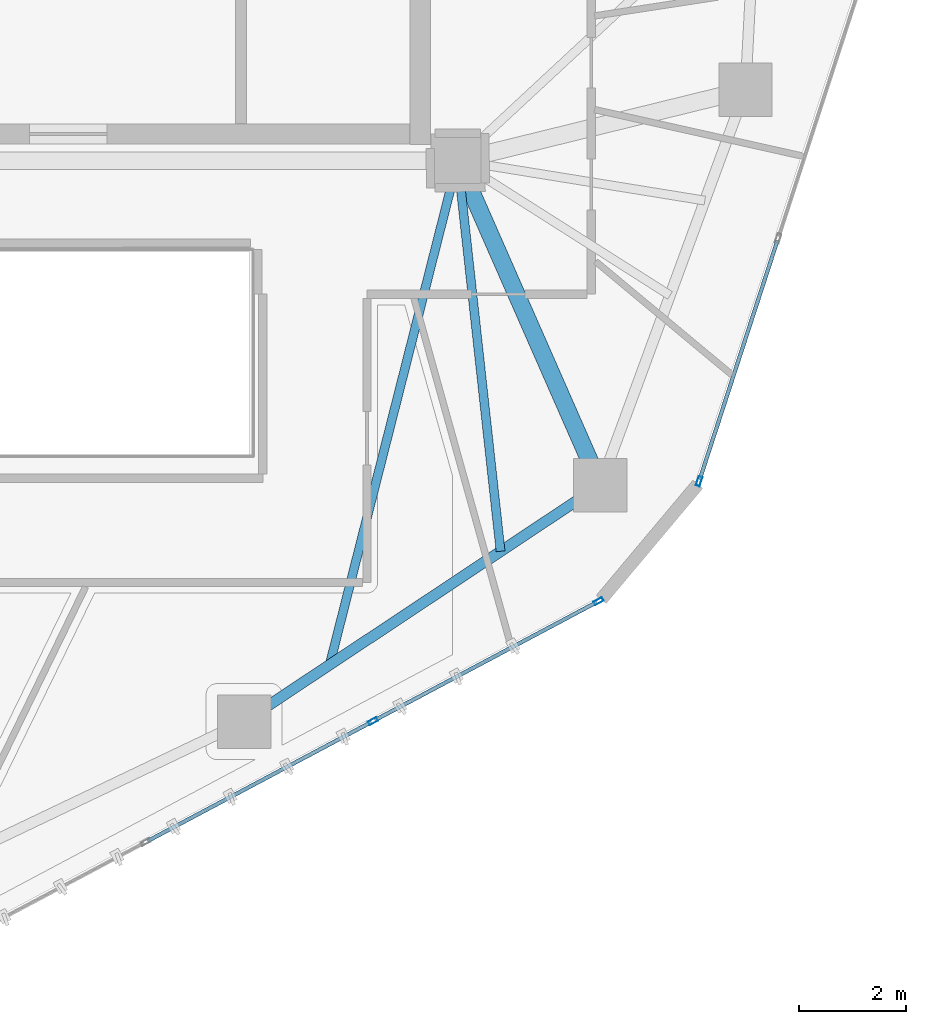
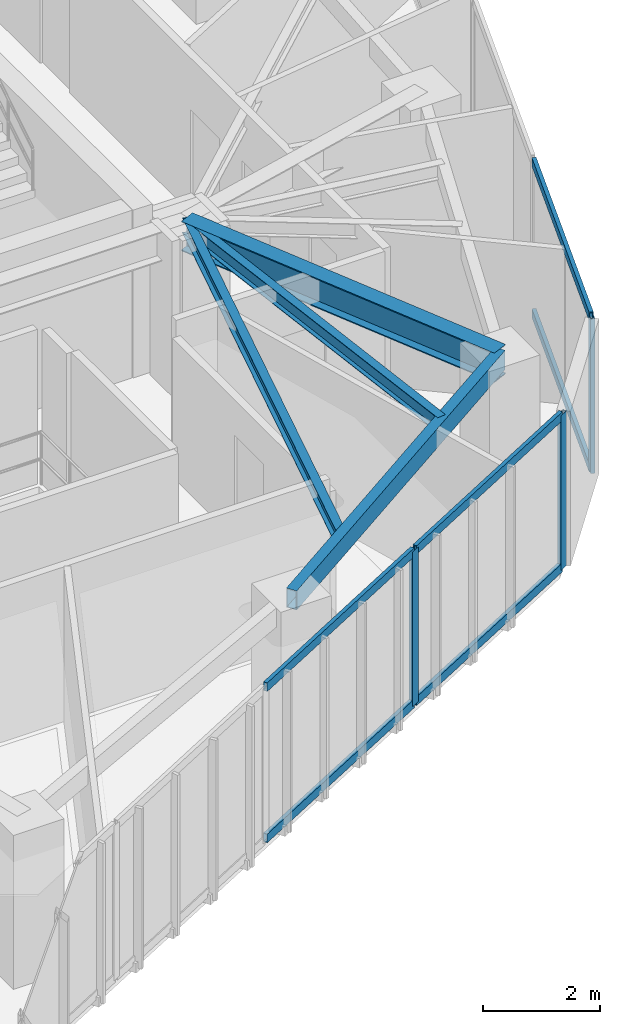
# One storey, part 5 of 19: 9 members, 4 beams, 2 elements without a shape of their own.
"""IFC4 building model written with IfcOpenShell, lengths in metres."""

import ifcopenshell
import ifcopenshell.guid

model = None  # the IFC model being written
_history = None  # IfcOwnerHistory: only IFC2X3 demands one
_inside = {}  # id of a spatial element -> (the spatial element, [elements in it])
_under = {}  # id of a project, library or spatial element -> (it, [spatial elements below it])
_declared = {}  # id of a project -> (the project, [libraries it declares])
_typed = {}  # id of a type object -> (the type object, [elements of that type])
_made_of = {}  # id of a material, layer set ... -> (it, [elements and type objects made of it])


def new_model(schema):
    """Start an empty IFC model of exactly this schema.

    Asked for "IFC4X3", IfcOpenShell would pick the latest addendum, in which some entities
    have other attributes; the version numbers below select the first issue.
    IFC2X3 requires an IfcOwnerHistory on every rooted entity: one is made here for all.
    """
    global model, _history
    if schema == "IFC4X3":
        model = ifcopenshell.file(schema_version=(4, 3, 0, 0))
    else:
        model = ifcopenshell.file(schema=schema)
    _inside.clear()
    _under.clear()
    _declared.clear()
    _typed.clear()
    _made_of.clear()
    _history = None
    if model.schema == "IFC2X3":
        org = make("IfcOrganization", Name="unknown")
        user = make(
            "IfcPersonAndOrganization",
            ThePerson=make("IfcPerson", FamilyName="unknown"),
            TheOrganization=org,
        )
        app = make(
            "IfcApplication",
            ApplicationDeveloper=org,
            Version="unknown",
            ApplicationFullName="unknown",
            ApplicationIdentifier="unknown",
        )
        _history = make(
            "IfcOwnerHistory",
            OwningUser=user,
            OwningApplication=app,
            ChangeAction="ADDED",
            CreationDate=0,
        )
    return model


def make(cls, **values):
    """One entity of the class cls with the attributes given. An attribute that is None is left unset."""
    return model.create_entity(
        cls, **{name: value for name, value in values.items() if value is not None}
    )


def rooted(cls, **values):
    """An entity with a GlobalId (a new one), such as an element, a storey or a relation."""
    return make(cls, GlobalId=ifcopenshell.guid.new(), OwnerHistory=_history, **values)


def si_unit(unit_type, name, prefix=None):
    """IfcSIUnit, for example si_unit("LENGTHUNIT", "METRE", prefix="MILLI")."""
    return make("IfcSIUnit", UnitType=unit_type, Prefix=prefix, Name=name)


def assignment(units):
    """IfcUnitAssignment: the units of a project."""
    return None if units is None else make("IfcUnitAssignment", Units=units)


def point(xyz):
    """IfcCartesianPoint."""
    return None if xyz is None else make("IfcCartesianPoint", Coordinates=xyz)


def direction(xyz):
    """IfcDirection."""
    return None if xyz is None else make("IfcDirection", DirectionRatios=xyz)


def frame(location, z_axis=None, x_axis=None):
    """IfcAxis2Placement3D, a coordinate frame: its origin and axes. An axis left out is left unset."""
    return make(
        "IfcAxis2Placement3D",
        Location=point(location),
        Axis=direction(z_axis),
        RefDirection=direction(x_axis),
    )


def frame_2d(location, x_axis=None):
    """IfcAxis2Placement2D, a coordinate frame in the plane: its origin and x axis."""
    return make(
        "IfcAxis2Placement2D", Location=point(location), RefDirection=direction(x_axis)
    )


def origin():
    """The frame at (0, 0, 0) with its axes left unset."""
    return frame((0.0, 0.0, 0.0))


def origin_2d():
    """The frame at (0, 0) in the plane with its x axis left unset."""
    return frame_2d((0.0, 0.0))


def place(relative_to, where):
    """IfcLocalPlacement: puts the frame where relative to a parent placement (None: the world)."""
    return make(
        "IfcLocalPlacement", PlacementRelTo=relative_to, RelativePlacement=where
    )


def context(
    kind, dimensions, precision=None, world=None, true_north=None, identifier=None
):
    """IfcGeometricRepresentationContext, for example the 3D "Model" context."""
    return make(
        "IfcGeometricRepresentationContext",
        ContextIdentifier=identifier,
        ContextType=kind,
        CoordinateSpaceDimension=dimensions,
        Precision=precision,
        WorldCoordinateSystem=world,
        TrueNorth=true_north,
    )


def subcontext(parent, identifier, kind, view, scale=None):
    """IfcGeometricRepresentationSubContext, for example "Body" below "Model"."""
    return make(
        "IfcGeometricRepresentationSubContext",
        ContextIdentifier=identifier,
        ContextType=kind,
        ParentContext=parent,
        TargetScale=scale,
        TargetView=view,
    )


def project(units=None, contexts=None):
    """IfcProject with its units and contexts."""
    return rooted(
        "IfcProject",
        Name="project",
        RepresentationContexts=contexts,
        UnitsInContext=assignment(units),
    )


def spatial(cls, under=None, at=None, **own):
    """A site, building, storey or space (cls), placed at a placement, below another one or the project."""
    s = rooted(cls, ObjectPlacement=at, **own)
    if under is not None:
        _under.setdefault(under.id(), (under, []))[1].append(s)
    return s


def profile(cls, at=None, kind="AREA", **sizes):
    """A parametric profile (cls). Its sizes go by their IFC names, for example OverallWidth=200.0."""
    return make(cls, ProfileType=kind, Position=at, **sizes)


def hollow_rectangle(**sizes):
    """IfcRectangleHollowProfileDef."""
    return profile("IfcRectangleHollowProfileDef", **sizes)


def i_section(**sizes):
    """IfcIShapeProfileDef."""
    return profile("IfcIShapeProfileDef", **sizes)


def extrude(swept, where, along, depth):
    """IfcExtrudedAreaSolid: the profile swept, set in the frame where, extruded along a direction by depth."""
    return make(
        "IfcExtrudedAreaSolid",
        SweptArea=swept,
        Position=where,
        ExtrudedDirection=direction(along),
        Depth=depth,
    )


def shape(context_of_items, identifier, shape_type, items):
    """IfcShapeRepresentation: the items that make up one representation, for example the "Body"."""
    return make(
        "IfcShapeRepresentation",
        ContextOfItems=context_of_items,
        RepresentationIdentifier=identifier,
        RepresentationType=shape_type,
        Items=items,
    )


def source(mapping_origin, context_of_items, identifier, shape_type, items):
    """IfcRepresentationMap: a shape defined once, which mapped items show again and again."""
    return make(
        "IfcRepresentationMap",
        MappingOrigin=mapping_origin,
        MappedRepresentation=shape(context_of_items, identifier, shape_type, items),
    )


def transform(
    local_origin,
    x_axis=None,
    y_axis=None,
    z_axis=None,
    scale=None,
    scale2=None,
    scale3=None,
    uniform=True,
):
    """IfcCartesianTransformationOperator3D, or its non-uniform kind. x_axis, y_axis, z_axis: its Axis1, 2, 3."""
    if uniform:
        return make(
            "IfcCartesianTransformationOperator3D",
            Axis1=direction(x_axis),
            Axis2=direction(y_axis),
            LocalOrigin=point(local_origin),
            Scale=scale,
            Axis3=direction(z_axis),
        )
    return make(
        "IfcCartesianTransformationOperator3DnonUniform",
        Axis1=direction(x_axis),
        Axis2=direction(y_axis),
        LocalOrigin=point(local_origin),
        Scale=scale,
        Axis3=direction(z_axis),
        Scale2=scale2,
        Scale3=scale3,
    )


def mapped(mapping_source, mapping_target):
    """IfcMappedItem: shows the shape of a source again, moved by a transform."""
    return make(
        "IfcMappedItem", MappingSource=mapping_source, MappingTarget=mapping_target
    )


def material(Name=None, Category=None):
    """IfcMaterial."""
    return make("IfcMaterial", Name=Name, Category=Category)


def layer(
    of_material, thickness, ventilated=None, Name=None, Category=None, Priority=None
):
    """IfcMaterialLayer: one layer of a wall or slab, of a material (None: an air gap)."""
    return make(
        "IfcMaterialLayer",
        Material=of_material,
        LayerThickness=thickness,
        IsVentilated=ventilated,
        Name=Name,
        Category=Category,
        Priority=Priority,
    )


def layer_set(layers, Name=None):
    """IfcMaterialLayerSet."""
    return make("IfcMaterialLayerSet", MaterialLayers=layers, LayerSetName=Name)


def material_profile(
    of_material, cross_section, Name=None, Category=None, Priority=None
):
    """IfcMaterialProfile: a cross section and its material."""
    return make(
        "IfcMaterialProfile",
        Name=Name,
        Material=of_material,
        Profile=cross_section,
        Priority=Priority,
        Category=Category,
    )


def profile_set(profiles, Name=None, composite=None):
    """IfcMaterialProfileSet."""
    return make(
        "IfcMaterialProfileSet",
        Name=Name,
        MaterialProfiles=profiles,
        CompositeProfile=composite,
    )


def made_of(thing, what):
    """Note that an element or type object is made of a material, layer set ...; save() writes the relation."""
    if what is not None:
        _made_of.setdefault(what.id(), (what, []))[1].append(thing)
    return thing


def type_object(cls, material=None, **own):
    """A type object (cls), such as IfcWallType, which elements share."""
    return made_of(rooted(cls, **own), material)


def type_shapes(of_type, sources):
    """Give a type object the sources (RepresentationMaps) that its elements show as mapped items."""
    of_type.RepresentationMaps = sources


def element(
    cls,
    number,
    at=None,
    inside=None,
    cuts=None,
    type_object=None,
    material=None,
    context=None,
    identifier="Body",
    shape_type=None,
    held_by="IfcProductDefinitionShape",
    body=None,
    shapes=None,
    **own,
):
    """One element of the class cls, such as IfcWall. Its Tag is "e" and its number.

    at: its placement. inside: the storey or other place that contains it. cuts: it is an
    opening in that element (IfcRelVoidsElement). A single representation is given by context,
    identifier, shape_type and body (its items); several are given by shapes. held_by: the class
    of the entity that holds the representations. save() writes the other relations.
    """
    e = rooted(cls, Tag="e%d" % number, ObjectPlacement=at, **own)
    if body is not None:
        shapes = [shape(context, identifier, shape_type, body)]
    if shapes is not None:
        e.Representation = make(held_by, Representations=shapes)
    if inside is not None:
        _inside.setdefault(inside.id(), (inside, []))[1].append(e)
    if cuts is not None:
        rooted(
            "IfcRelVoidsElement", RelatingBuildingElement=cuts, RelatedOpeningElement=e
        )
    if type_object is not None:
        _typed.setdefault(type_object.id(), (type_object, []))[1].append(e)
    return made_of(e, material)


def aggregate(whole, parts):
    """IfcRelAggregates: a whole, such as a stair, and the parts it consists of."""
    return rooted("IfcRelAggregates", RelatingObject=whole, RelatedObjects=parts)


def save(model, path):
    """Write the relations noted so far, then the file.

    IfcRelAggregates (storeys below a building ...), IfcRelContainedInSpatialStructure (elements
    in a storey), IfcRelDefinesByType, IfcRelAssociatesMaterial and IfcRelDeclares: one each for
    every whole, place, type object, material and project.
    """
    for whole, parts in _under.values():
        aggregate(whole, parts)
    for where, things in _inside.values():
        rooted(
            "IfcRelContainedInSpatialStructure",
            RelatedElements=things,
            RelatingStructure=where,
        )
    for kind, things in _typed.values():
        rooted("IfcRelDefinesByType", RelatedObjects=things, RelatingType=kind)
    for what, things in _made_of.values():
        rooted("IfcRelAssociatesMaterial", RelatedObjects=things, RelatingMaterial=what)
    for by, libraries in _declared.values():
        rooted("IfcRelDeclares", RelatingContext=by, RelatedDefinitions=libraries)
    model.write(path)


model = new_model("IFC4")

# Units and contexts
model_context = context("Model", 3, precision=1e-05, world=origin(), true_north=direction((0.0, 1.0)))
body_context = subcontext(model_context, "Body", "Model", "MODEL_VIEW")
ifc_project = project(units=[si_unit("LENGTHUNIT", "METRE"), si_unit("AREAUNIT", "SQUARE_METRE"), si_unit("VOLUMEUNIT", "CUBIC_METRE"), si_unit("PLANEANGLEUNIT", "RADIAN"), si_unit("MASSUNIT", "GRAM", prefix="KILO")], contexts=[model_context])

# Site, building, storey
site_placement = place(None, origin())
site = spatial("IfcSite", under=ifc_project, at=site_placement, CompositionType="ELEMENT")
building_placement = place(site_placement, origin())
building = spatial("IfcBuilding", under=site, at=building_placement, Name="Talar Marvaseh", CompositionType="ELEMENT")
storey_placement = place(building_placement, frame((0.0, 0.0, 174.0)))
storey = spatial("IfcBuildingStorey", under=building, at=storey_placement, Name="L45", CompositionType="ELEMENT", Elevation=174.0)

# Beams
ifc_material_1 = material(Name="Steel S355", Category="steel")
ifc_material_profile_1 = material_profile(ifc_material_1, hollow_rectangle(XDim=0.199951171875, YDim=0.39990234375, WallThickness=0.013916015625, at=origin_2d()), Name="RHS400x200x14")
ifc_profile_set_1 = profile_set([ifc_material_profile_1], Name="Steel S355")
beam_type_1 = type_object("IfcBeamType", Name="Zone 3 Perimeter Spandrel Beam RHS400x200x14", PredefinedType="SPANDREL", material=ifc_profile_set_1)
beam_1_placement = place(storey_placement, frame((35.970947265625, 19.423095703125, 3.030029296875), z_axis=(-0.833127464163, -0.553081032452, 0.0), x_axis=(0.553081032452, -0.833127464163, 0.0)))
element("IfcBeam", 1, at=beam_1_placement, inside=storey, type_object=beam_type_1, Name="L45 Zone 3 Perimeter Spandrel Beam RHS400x200x14", PredefinedType="SPANDREL", context=body_context, shape_type="SweptSolid", body=[
    extrude(hollow_rectangle(XDim=0.199951171875, YDim=0.39990234375, WallThickness=0.013916015625, at=origin_2d()), origin(), (0.0, 0.0, 1.0), 8.00830078125),
])
ifc_material_profile_2 = material_profile(ifc_material_1, i_section(OverallWidth=0.324951171875, OverallDepth=0.615966796875, WebThickness=0.013916015625, FlangeThickness=0.021484375, at=origin_2d()), Name="W610x174")
ifc_profile_set_2 = profile_set([ifc_material_profile_2], Name="Steel S355")
beam_type_2 = type_object("IfcBeamType", Name="Zone 3 Radial Floor Girder W610x174", PredefinedType="BEAM", material=ifc_profile_set_2)
beam_2_placement = place(storey_placement, frame((35.970947265625, 19.423095703125, 2.922119140625), z_axis=(-0.402367581672, 0.91547819702, 0.0), x_axis=(-0.91547819702, -0.402367581672, 0.0)))
element("IfcBeam", 2, at=beam_2_placement, inside=storey, type_object=beam_type_2, Name="L45 Zone 3 Radial Floor Girder W610x174", PredefinedType="BEAM", context=body_context, shape_type="SweptSolid", body=[
    extrude(i_section(OverallWidth=0.324951171875, OverallDepth=0.615966796875, WebThickness=0.013916015625, FlangeThickness=0.021484375, at=origin_2d()), origin(), (0.0, 0.0, 1.0), 6.637939453125),
])
ifc_material_profile_3 = material_profile(ifc_material_1, i_section(OverallWidth=0.166015625, OverallDepth=0.31298828125, WebThickness=0.006591796875, FlangeThickness=0.01123046875, at=origin_2d()), Name="W310x45")
ifc_profile_set_3 = profile_set([ifc_material_profile_3], Name="Steel S355")
beam_type_3 = type_object("IfcBeamType", Name="Zone 3 Secondary Floor Joist W310x45", PredefinedType="JOIST", material=ifc_profile_set_3)
beam_3_placement = place(storey_placement, frame((34.102783203125, 18.182861328125, 3.073486328125), z_axis=(-0.109051770147, 0.994036071492, 0.0), x_axis=(-0.994036071492, -0.109051770147, 0.0)))
element("IfcBeam", 3, at=beam_3_placement, inside=storey, type_object=beam_type_3, Name="L45 Zone 3 Secondary Floor Joist W310x45", PredefinedType="JOIST", context=body_context, shape_type="SweptSolid", body=[
    extrude(i_section(OverallWidth=0.166015625, OverallDepth=0.31298828125, WebThickness=0.006591796875, FlangeThickness=0.01123046875, at=origin_2d()), origin(), (0.0, 0.0, 1.0), 7.361083984375),
])
beam_4_placement = place(storey_placement, frame((30.900390625, 16.056884765625, 3.073486328125), z_axis=(0.246289474123, 0.96919631393, 0.0), x_axis=(-0.96919631393, 0.246289474123, 0.0)))
element("IfcBeam", 4, at=beam_4_placement, inside=storey, type_object=beam_type_3, Name="L45 Zone 3 Secondary Floor Joist W310x45", PredefinedType="JOIST", context=body_context, shape_type="SweptSolid", body=[
    extrude(i_section(OverallWidth=0.166015625, OverallDepth=0.31298828125, WebThickness=0.006591796875, FlangeThickness=0.01123046875, at=origin_2d()), origin(), (0.0, 0.0, 1.0), 9.7431640625),
])

# Curtain wall, member
ifc_material_2 = material(Name="Architectural Aluminium", Category="aluminium")
ifc_layer = layer(ifc_material_2, 0.18994140625)
ifc_layer_set = layer_set([ifc_layer], Name="Architectural Aluminium")
curtain_wall_type = type_object("IfcCurtainWallType", Name="Unitised Solar Atelier Curtain Wall Z3", PredefinedType="NOTDEFINED", material=ifc_layer_set)
curtain_wall_1_placement = place(storey_placement, origin())
curtain_wall_1 = element("IfcCurtainWall", 5, at=curtain_wall_1_placement, inside=storey, type_object=curtain_wall_type, Name="L45 Unitised Solar Atelier Curtain Wall Z3", PredefinedType="NOTDEFINED")
ifc_material_profile_4 = material_profile(ifc_material_2, hollow_rectangle(XDim=0.074951171875, YDim=0.179931640625, WallThickness=0.0048828125, at=origin_2d()), Name="RHS180x75x5")
ifc_profile_set_4 = profile_set([ifc_material_profile_4], Name="Architectural Aluminium")
member_type_1 = type_object("IfcMemberType", Name="Unitised Curtain Wall Standard Mullion RHS180x75x5", PredefinedType="MULLION", material=ifc_profile_set_4)
shared_shape_1 = source(origin(), body_context, "Body", "SweptSolid", [
    extrude(hollow_rectangle(XDim=0.074951171875, YDim=0.179931640625, WallThickness=0.0048828125, at=origin_2d()), origin(), (0.0, 0.0, 1.0), 3.22998046875),
])
type_shapes(member_type_1, [shared_shape_1])
member_1_placement = place(storey_placement, frame((37.821044921875, 19.493408203125, 0.0), z_axis=(0.0, 0.0, 1.0), x_axis=(0.95100876715, -0.30916391252, 0.0)))
member_1 = element("IfcMember", 6, at=member_1_placement, type_object=member_type_1, Name="CW-Z3 mullion 5", PredefinedType="MULLION", context=body_context, shape_type="MappedRepresentation", body=[
    mapped(shared_shape_1, transform((0.0, 0.0, 0.0), x_axis=(1.0, 0.0, 0.0), y_axis=(0.0, 1.0, 0.0), z_axis=(0.0, 0.0, 1.0), scale=1.0)),
])

# Curtain wall, members
curtain_wall_2_placement = place(storey_placement, origin())
curtain_wall_2 = element("IfcCurtainWall", 7, at=curtain_wall_2_placement, inside=storey, type_object=curtain_wall_type, Name="L45 Unitised Solar Atelier Curtain Wall Z3", PredefinedType="NOTDEFINED")
member_2_placement = place(storey_placement, frame((35.937744140625, 17.2490234375, 0.0), z_axis=(0.0, 0.0, 1.0), x_axis=(0.469609791642, -0.882874081392, 0.0)))
member_2 = element("IfcMember", 8, at=member_2_placement, type_object=member_type_1, Name="CW-Z3 mullion 1", PredefinedType="MULLION", context=body_context, shape_type="MappedRepresentation", body=[
    mapped(shared_shape_1, transform((0.0, 0.0, 0.0), x_axis=(1.0, 0.0, 0.0), y_axis=(0.0, 1.0, 0.0), z_axis=(0.0, 0.0, 1.0), scale=1.0)),
])
member_3_placement = place(storey_placement, frame((31.713623046875, 15.002197265625, 0.0), z_axis=(0.0, 0.0, 1.0), x_axis=(0.469609791642, -0.882874081392, 0.0)))
member_3 = element("IfcMember", 9, at=member_3_placement, type_object=member_type_1, Name="CW-Z3 mullion 2", PredefinedType="MULLION", context=body_context, shape_type="MappedRepresentation", body=[
    mapped(shared_shape_1, transform((0.0, 0.0, 0.0), x_axis=(1.0, 0.0, 0.0), y_axis=(0.0, 1.0, 0.0), z_axis=(0.0, 0.0, 1.0), scale=1.0)),
])

# Member
ifc_material_profile_5 = material_profile(ifc_material_2, hollow_rectangle(XDim=0.074951171875, YDim=0.179931640625, WallThickness=0.0048828125, at=origin_2d()), Name="RHS180x75x5")
ifc_profile_set_5 = profile_set([ifc_material_profile_5], Name="Architectural Aluminium")
member_type_2 = type_object("IfcMemberType", Name="Unitised Curtain Wall Transom RHS180x75x5", PredefinedType="USERDEFINED", material=ifc_profile_set_5)
shared_shape_2 = source(origin(), body_context, "Body", "SweptSolid", [
    extrude(hollow_rectangle(XDim=0.074951171875, YDim=0.179931640625, WallThickness=0.0048828125, at=origin_2d()), origin(), (0.0, 0.0, 1.0), 4.70947265625),
])
member_4_placement = place(storey_placement, frame((39.28857421875, 24.0078125, 0.03759765625), z_axis=(-0.309173985157, -0.951005492572, 0.0), x_axis=(0.951005492572, -0.309173985157, 0.0)))
member_4 = element("IfcMember", 10, at=member_4_placement, type_object=member_type_2, Name="CW-Z3 transom 4.1", ObjectType="TRANSOM", PredefinedType="USERDEFINED", context=body_context, shape_type="MappedRepresentation", body=[
    mapped(shared_shape_2, transform((0.0, 0.0, 0.0), x_axis=(1.0, 0.0, 0.0), y_axis=(0.0, 1.0, 0.0), z_axis=(0.0, 0.0, 1.0), scale=1.0)),
])

member_5_placement = place(storey_placement, frame((39.28857421875, 24.0078125, 3.1923828125), z_axis=(-0.309173985157, -0.951005492572, 0.0), x_axis=(0.951005492572, -0.309173985157, 0.0)))
member_5 = element("IfcMember", 11, at=member_5_placement, type_object=member_type_2, Name="CW-Z3 transom 4.2", ObjectType="TRANSOM", PredefinedType="USERDEFINED", context=body_context, shape_type="MappedRepresentation", body=[
    mapped(shared_shape_2, transform((0.0, 0.0, 0.0), x_axis=(1.0, 0.0, 0.0), y_axis=(0.0, 1.0, 0.0), z_axis=(0.0, 0.0, 1.0), scale=1.0)),
])

aggregate(curtain_wall_1, [member_1, member_4, member_5])

member_6_placement = place(storey_placement, frame((35.90478515625, 17.2314453125, 0.03759765625), z_axis=(-0.882873303792, -0.469611253541, 0.0), x_axis=(0.469611253541, -0.882873303792, 0.0)))
member_6 = element("IfcMember", 12, at=member_6_placement, type_object=member_type_2, Name="CW-Z3 transom 1.1", ObjectType="TRANSOM", PredefinedType="USERDEFINED", context=body_context, shape_type="MappedRepresentation", body=[
    mapped(shared_shape_2, transform((0.0, 0.0, 0.0), x_axis=(1.0, 0.0, 0.0), y_axis=(0.0, 1.0, 0.0), z_axis=(0.0, 0.0, 1.0), scale=1.0)),
])

member_7_placement = place(storey_placement, frame((35.90478515625, 17.2314453125, 3.1923828125), z_axis=(-0.882873303792, -0.469611253541, 0.0), x_axis=(0.469611253541, -0.882873303792, 0.0)))
member_7 = element("IfcMember", 13, at=member_7_placement, type_object=member_type_2, Name="CW-Z3 transom 1.2", ObjectType="TRANSOM", PredefinedType="USERDEFINED", context=body_context, shape_type="MappedRepresentation", body=[
    mapped(shared_shape_2, transform((0.0, 0.0, 0.0), x_axis=(1.0, 0.0, 0.0), y_axis=(0.0, 1.0, 0.0), z_axis=(0.0, 0.0, 1.0), scale=1.0)),
])

shared_shape_3 = source(origin(), body_context, "Body", "SweptSolid", [
    extrude(hollow_rectangle(XDim=0.074951171875, YDim=0.179931640625, WallThickness=0.0048828125, at=origin_2d()), origin(), (0.0, 0.0, 1.0), 4.7470703125),
])
type_shapes(member_type_2, [shared_shape_2, shared_shape_3])
member_8_placement = place(storey_placement, frame((31.6806640625, 14.984619140625, 0.03759765625), z_axis=(-0.88288055527, -0.469597620444, 0.0), x_axis=(0.469597620444, -0.88288055527, 0.0)))
member_8 = element("IfcMember", 14, at=member_8_placement, type_object=member_type_2, Name="CW-Z3 transom 2.1", ObjectType="TRANSOM", PredefinedType="USERDEFINED", context=body_context, shape_type="MappedRepresentation", body=[
    mapped(shared_shape_3, transform((0.0, 0.0, 0.0), x_axis=(1.0, 0.0, 0.0), y_axis=(0.0, 1.0, 0.0), z_axis=(0.0, 0.0, 1.0), scale=1.0)),
])

member_9_placement = place(storey_placement, frame((31.6806640625, 14.984619140625, 3.1923828125), z_axis=(-0.88288055527, -0.469597620444, 0.0), x_axis=(0.469597620444, -0.88288055527, 0.0)))
member_9 = element("IfcMember", 15, at=member_9_placement, type_object=member_type_2, Name="CW-Z3 transom 2.2", ObjectType="TRANSOM", PredefinedType="USERDEFINED", context=body_context, shape_type="MappedRepresentation", body=[
    mapped(shared_shape_3, transform((0.0, 0.0, 0.0), x_axis=(1.0, 0.0, 0.0), y_axis=(0.0, 1.0, 0.0), z_axis=(0.0, 0.0, 1.0), scale=1.0)),
])

aggregate(curtain_wall_2, [member_2, member_3, member_6, member_7, member_8, member_9])

save(model, "model.ifc")
